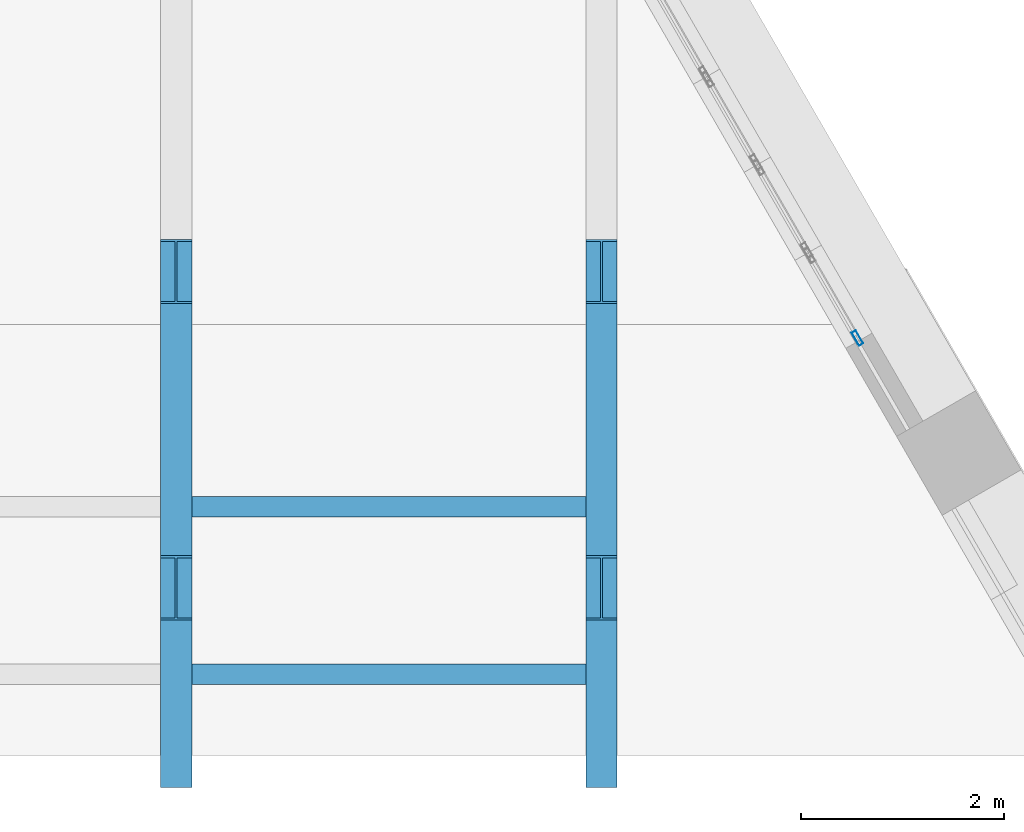
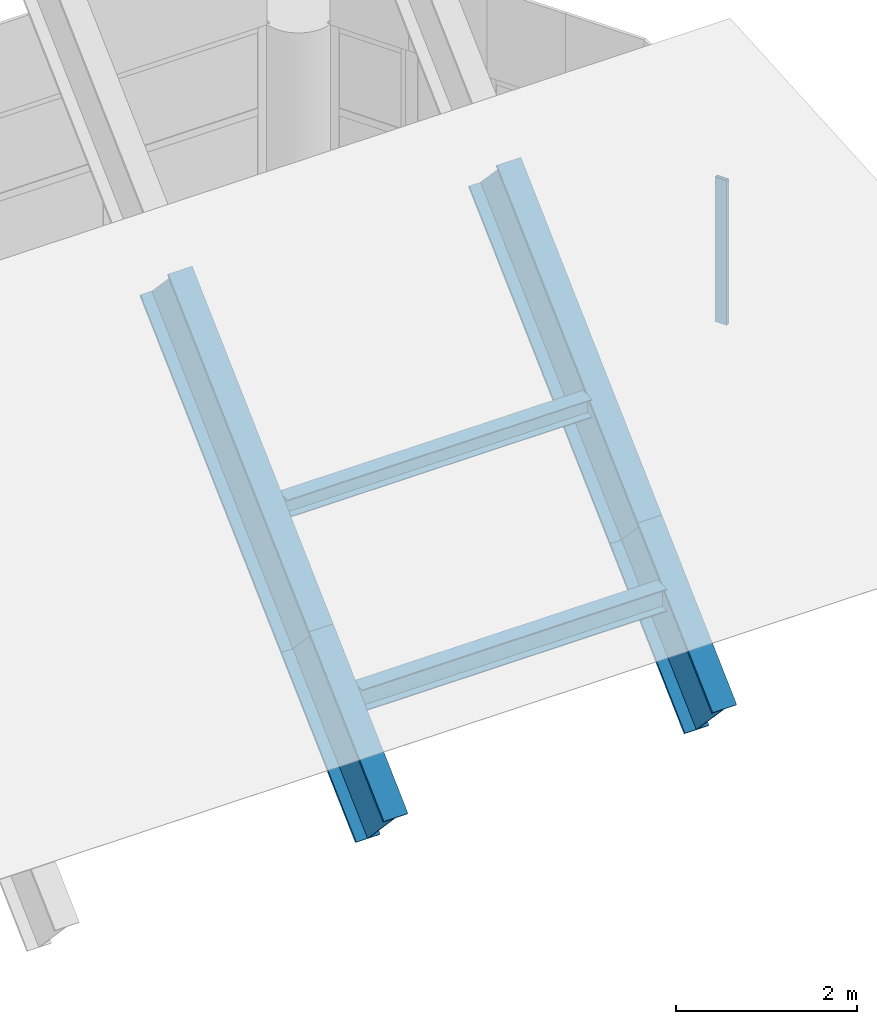
# One storey, part 6 of 11: 7 members, 1 element without a shape of its own.
"""IFC4 building model written with IfcOpenShell, lengths in metres."""

from ifc_helpers import new_model, si_unit, direction, frame, origin, origin_2d, place, context, subcontext, project, spatial, hollow_rectangle, i_section, extrude, material, material_profile, profile_set, type_object, element, aggregate, save


model = new_model("IFC4")

# Units and contexts
model_context = context("Model", 3, precision=1e-05, world=origin(), true_north=direction((0.0, 1.0)))
body_context = subcontext(model_context, "Body", "Model", "MODEL_VIEW")
ifc_project = project(units=[si_unit("LENGTHUNIT", "METRE"), si_unit("AREAUNIT", "SQUARE_METRE"), si_unit("VOLUMEUNIT", "CUBIC_METRE"), si_unit("PLANEANGLEUNIT", "RADIAN"), si_unit("MASSUNIT", "GRAM", prefix="KILO")], contexts=[model_context])

# Site, building, storey
site_placement = place(None, origin())
site = spatial("IfcSite", under=ifc_project, at=site_placement, CompositionType="ELEMENT")
building_placement = place(site_placement, origin())
building = spatial("IfcBuilding", under=site, at=building_placement, Name="Ostrander Bayou Hotel Tower", CompositionType="ELEMENT")
storey_placement = place(building_placement, frame((0.0, 0.0, 297.5)))
storey = spatial("IfcBuildingStorey", under=building, at=storey_placement, Name="Roof 73", CompositionType="ELEMENT", Elevation=297.5)

# Members
ifc_material_1 = material(Name="Steel ASTM A992", Category="steel")
ifc_material_profile_1 = material_profile(ifc_material_1, i_section(OverallWidth=0.2021484375, OverallDepth=0.2470703125, WebThickness=0.00732421875, FlangeThickness=0.010986328125, at=origin_2d()))
ifc_profile_set_1 = profile_set([ifc_material_profile_1], Name="Steel ASTM A992")
member_type_1 = type_object("IfcMemberType", Name="CP2 crown purlin W10x33", PredefinedType="PURLIN", material=ifc_profile_set_1)
member_1_placement = place(storey_placement, frame((4.35400390625, 10.199951171875, 1.845703125), z_axis=(1.0, 0.0, 0.0), x_axis=(0.0, 1.0, 0.0)))
element("IfcMember", 1, at=member_1_placement, inside=storey, type_object=member_type_1, Name="CP2 P4-43", PredefinedType="PURLIN", context=body_context, shape_type="SweptSolid", body=[
    extrude(i_section(OverallWidth=0.2021484375, OverallDepth=0.2470703125, WebThickness=0.00732421875, FlangeThickness=0.010986328125, at=origin_2d()), origin(), (0.0, 0.0, 1.0), 3.89208984375),
])
ifc_material_2 = material(Name="Steel ASTM A992", Category="steel")
ifc_material_profile_2 = material_profile(ifc_material_2, i_section(OverallWidth=0.203369140625, OverallDepth=0.30322265625, WebThickness=0.007568359375, FlangeThickness=0.01318359375, at=origin_2d()))
ifc_profile_set_2 = profile_set([ifc_material_profile_2], Name="Steel ASTM A992")
member_type_2 = type_object("IfcMemberType", Name="CP3 crown purlin W12x40", PredefinedType="PURLIN", material=ifc_profile_set_2)
member_2_placement = place(storey_placement, frame((4.35400390625, 8.544921875, 0.2587890625), z_axis=(1.0, 0.0, 0.0), x_axis=(0.0, 1.0, 0.0)))
element("IfcMember", 2, at=member_2_placement, inside=storey, type_object=member_type_2, Name="CP3 P4-42", PredefinedType="PURLIN", context=body_context, shape_type="SweptSolid", body=[
    extrude(i_section(OverallWidth=0.203369140625, OverallDepth=0.30322265625, WebThickness=0.007568359375, FlangeThickness=0.01318359375, at=origin_2d()), origin(), (0.0, 0.0, 1.0), 3.89208984375),
])
ifc_material_3 = material(Name="Steel ASTM A992", Category="steel")
ifc_material_profile_3 = material_profile(ifc_material_3, i_section(OverallWidth=0.307861328125, OverallDepth=0.9267578125, WebThickness=0.01953125, FlangeThickness=0.031982421875, at=origin_2d()))
ifc_profile_set_3 = profile_set([ifc_material_profile_3], Name="Steel ASTM A992")
member_type_3 = type_object("IfcMemberType", Name="CR1 crown rafter W36x194", PredefinedType="RAFTER", material=ifc_profile_set_3)
member_3_placement = place(storey_placement, frame((4.199951171875, 7.7451171875, -0.979736328125), z_axis=(0.0, 0.727894103039, 0.685689561508), x_axis=(-1.0, 0.0, 0.0)))
element("IfcMember", 3, at=member_3_placement, inside=storey, type_object=member_type_3, Name="CR1 R4-7", PredefinedType="RAFTER", context=body_context, shape_type="SweptSolid", body=[
    extrude(i_section(OverallWidth=0.307861328125, OverallDepth=0.9267578125, WebThickness=0.01953125, FlangeThickness=0.031982421875, at=origin_2d()), origin(), (0.0, 0.0, 1.0), 2.2734375),
])
member_4_placement = place(storey_placement, frame((4.199951171875, 9.39990234375, 0.5791015625), z_axis=(0.0, 0.72796598037, 0.685613252078), x_axis=(-1.0, 0.0, 0.0)))
element("IfcMember", 4, at=member_4_placement, inside=storey, type_object=member_type_3, Name="CR1 R4-8", PredefinedType="RAFTER", context=body_context, shape_type="SweptSolid", body=[
    extrude(i_section(OverallWidth=0.307861328125, OverallDepth=0.9267578125, WebThickness=0.01953125, FlangeThickness=0.031982421875, at=origin_2d()), origin(), (0.0, 0.0, 1.0), 4.288818359375),
])
member_5_placement = place(storey_placement, frame((8.39990234375, 7.7451171875, -0.979736328125), z_axis=(0.0, 0.727894103039, 0.685689561508), x_axis=(-1.0, 0.0, 0.0)))
element("IfcMember", 5, at=member_5_placement, inside=storey, type_object=member_type_3, Name="CR1 R5-7", PredefinedType="RAFTER", context=body_context, shape_type="SweptSolid", body=[
    extrude(i_section(OverallWidth=0.307861328125, OverallDepth=0.9267578125, WebThickness=0.01953125, FlangeThickness=0.031982421875, at=origin_2d()), origin(), (0.0, 0.0, 1.0), 2.2734375),
])
member_6_placement = place(storey_placement, frame((8.39990234375, 9.39990234375, 0.5791015625), z_axis=(0.0, 0.72796598037, 0.685613252078), x_axis=(-1.0, 0.0, 0.0)))
element("IfcMember", 6, at=member_6_placement, inside=storey, type_object=member_type_3, Name="CR1 R5-8", PredefinedType="RAFTER", context=body_context, shape_type="SweptSolid", body=[
    extrude(i_section(OverallWidth=0.307861328125, OverallDepth=0.9267578125, WebThickness=0.01953125, FlangeThickness=0.031982421875, at=origin_2d()), origin(), (0.0, 0.0, 1.0), 4.288818359375),
])

# Curtain wall, member
ifc_material_4 = material(Name="Aluminium and clear glass", Category="aluminium")
curtain_wall_type = type_object("IfcCurtainWallType", Name="CW-CROWN glazed wall", PredefinedType="NOTDEFINED", material=ifc_material_4)
curtain_wall_placement = place(storey_placement, origin())
curtain_wall = element("IfcCurtainWall", 7, at=curtain_wall_placement, inside=storey, type_object=curtain_wall_type, Name="CW-CROWN L73:NE-3-2", PredefinedType="NOTDEFINED")
ifc_material_5 = material(Name="Aluminium", Category="aluminium")
ifc_material_profile_4 = material_profile(ifc_material_5, hollow_rectangle(XDim=0.050048828125, YDim=0.14990234375, WallThickness=0.00390625, at=origin_2d()))
ifc_profile_set_4 = profile_set([ifc_material_profile_4], Name="Aluminium")
member_type_4 = type_object("IfcMemberType", Name="CW-CR mullion 50 x 150 mm", PredefinedType="MULLION", material=ifc_profile_set_4)
member_7_placement = place(storey_placement, frame((10.9248046875, 11.864501953125, 1.0), z_axis=(0.0, 0.0, 1.0), x_axis=(-0.866001306597, -0.50004173523, 0.0)))
member_7 = element("IfcMember", 8, at=member_7_placement, type_object=member_type_4, Name="CW-CROWN mullion 1", PredefinedType="MULLION", context=body_context, shape_type="SweptSolid", body=[
    extrude(hollow_rectangle(XDim=0.050048828125, YDim=0.14990234375, WallThickness=0.00390625, at=origin_2d()), origin(), (0.0, 0.0, 1.0), 1.9560546875),
])
aggregate(curtain_wall, [member_7])

save(model, "model.ifc")
